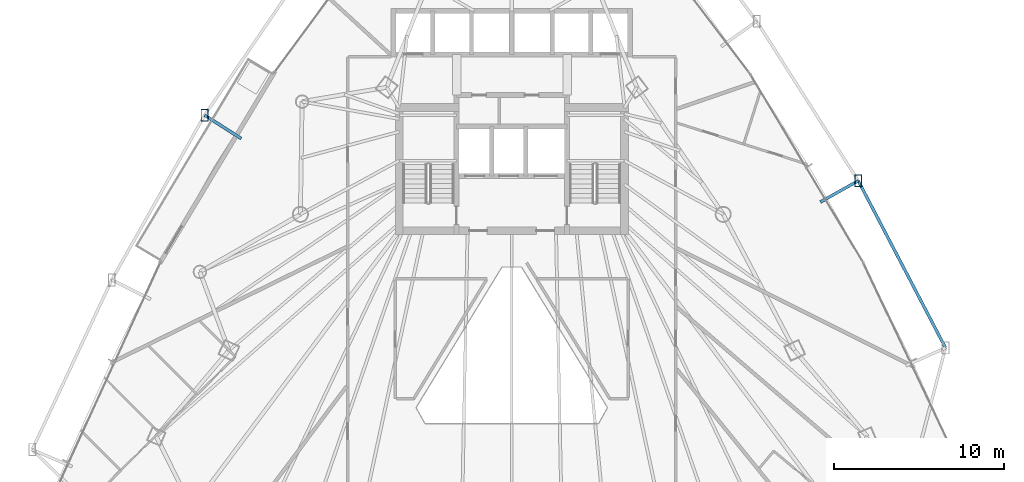
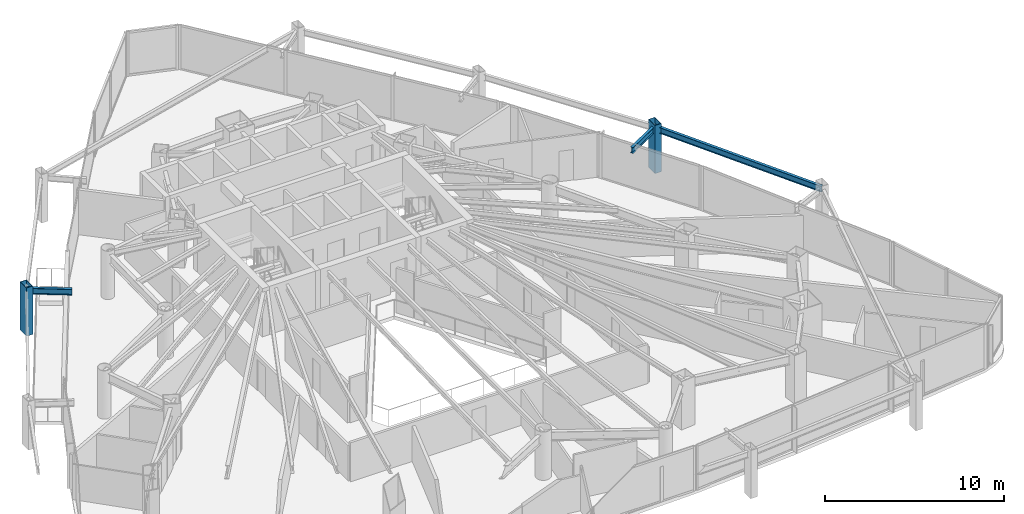
# One storey, part 20 of 35: 3 beams, 2 members.
"""IFC4 building model written with IfcOpenShell, lengths in metres."""

from ifc_helpers import new_model, si_unit, direction, frame, origin, origin_2d, place, context, subcontext, project, spatial, hollow_rectangle, i_section, extrude, material, material_profile, profile_set, type_object, element, save


model = new_model("IFC4")

# Units and contexts
model_context = context("Model", 3, precision=1e-05, world=origin(), true_north=direction((0.0, 1.0)))
body_context = subcontext(model_context, "Body", "Model", "MODEL_VIEW")
ifc_project = project(units=[si_unit("LENGTHUNIT", "METRE"), si_unit("AREAUNIT", "SQUARE_METRE"), si_unit("VOLUMEUNIT", "CUBIC_METRE"), si_unit("PLANEANGLEUNIT", "RADIAN"), si_unit("MASSUNIT", "GRAM", prefix="KILO")], contexts=[model_context])

# Site, building, storey
site_placement = place(None, origin())
site = spatial("IfcSite", under=ifc_project, at=site_placement, CompositionType="ELEMENT")
building_placement = place(site_placement, origin())
building = spatial("IfcBuilding", under=site, at=building_placement, Name="Orvanel Arch Residences", CompositionType="ELEMENT")
storey_placement = place(building_placement, frame((0.0, 0.0, 33.5)))
storey = spatial("IfcBuildingStorey", under=building, at=storey_placement, Name="L08", CompositionType="ELEMENT", Elevation=33.5)

# Members
ifc_material_1 = material(Name="Structural steel AS/NZS 3678 Grade 350", Category="steel")
ifc_material_profile_1 = material_profile(ifc_material_1, hollow_rectangle(XDim=0.419921875, YDim=0.719970703125, WallThickness=0.02490234375, at=origin_2d()), Name="RHS720x420x25")
ifc_profile_set_1 = profile_set([ifc_material_profile_1], Name="Structural steel AS/NZS 3678 Grade 350")
member_type = type_object("IfcMemberType", Name="CH-720RHS-EXT", PredefinedType="CHORD", material=ifc_profile_set_1)
for number, where, z_axis, x_axis, name in (
    (1, (14.93994140625, 33.469970703125, 0.0), (0.0, 0.0, 1.0), (1.0, 0.0, 0.0), "L08 Outer Perimeter Frame Post 02"),
    (2, (53.37109375, 29.616943359375, 0.0), (0.0, 0.0, 1.0), (1.0, 0.0, 0.0), "L08 Outer Perimeter Frame Post 10"),
):
    element("IfcMember", number, at=place(storey_placement, frame(where, z_axis=z_axis, x_axis=x_axis)), inside=storey, type_object=member_type, Name=name, PredefinedType="CHORD", context=body_context, shape_type="SweptSolid", body=[
        extrude(hollow_rectangle(XDim=0.419921875, YDim=0.719970703125, WallThickness=0.02490234375, at=origin_2d()), origin(), (0.0, 0.0, 1.0), 3.300048828125),
    ])

# Beams
ifc_material_2 = material(Name="Structural steel AS/NZS 3679.1 Grade 300 (300 MPa)", Category="steel")
ifc_material_profile_2 = material_profile(ifc_material_2, i_section(OverallWidth=0.177978515625, OverallDepth=0.406005859375, WebThickness=0.0078125, FlangeThickness=0.0126953125, at=origin_2d()), Name="410UB59.7")
ifc_profile_set_2 = profile_set([ifc_material_profile_2], Name="Structural steel AS/NZS 3679.1 Grade 300 (300 MPa)")
beam_type = type_object("IfcBeamType", Name="OB-410UB-EXT", PredefinedType="SPANDREL", material=ifc_profile_set_2)
beam_1_placement = place(storey_placement, frame((17.090087890625, 32.097900390625, 2.85693359375), z_axis=(-0.842986856893, 0.537934158708, 0.0), x_axis=(-0.537934158708, -0.842986856893, 0.0)))
element("IfcBeam", 3, at=beam_1_placement, inside=storey, type_object=beam_type, Name="L08 Outer Frame Radial Tie Beam 02", PredefinedType="SPANDREL", context=body_context, shape_type="SweptSolid", body=[
    extrude(i_section(OverallWidth=0.177978515625, OverallDepth=0.406005859375, WebThickness=0.0078125, FlangeThickness=0.0126953125, at=origin_2d()), origin(), (0.0, 0.0, 1.0), 2.550537109375),
])
beam_2_placement = place(storey_placement, frame((58.501953125, 19.7919921875, 2.85693359375), z_axis=(-0.46290621952, 0.886407260761, 0.0), x_axis=(-0.886407260761, -0.46290621952, 0.0)))
element("IfcBeam", 4, at=beam_2_placement, inside=storey, type_object=beam_type, Name="L08 Outer Perimeter Floor Ring Beam 09", PredefinedType="SPANDREL", context=body_context, shape_type="SweptSolid", body=[
    extrude(i_section(OverallWidth=0.177978515625, OverallDepth=0.406005859375, WebThickness=0.0078125, FlangeThickness=0.0126953125, at=origin_2d()), origin(), (0.0, 0.0, 1.0), 11.083984375),
])
beam_3_placement = place(storey_placement, frame((51.14892578125, 28.365966796875, 2.85693359375), z_axis=(0.871406736721, 0.490561208411, 0.0), x_axis=(-0.490561208411, 0.871406736721, 0.0)))
element("IfcBeam", 5, at=beam_3_placement, inside=storey, type_object=beam_type, Name="L08 Outer Frame Radial Tie Beam 10", PredefinedType="SPANDREL", context=body_context, shape_type="SweptSolid", body=[
    extrude(i_section(OverallWidth=0.177978515625, OverallDepth=0.406005859375, WebThickness=0.0078125, FlangeThickness=0.0126953125, at=origin_2d()), origin(), (0.0, 0.0, 1.0), 2.550048828125),
])

save(model, "model.ifc")
